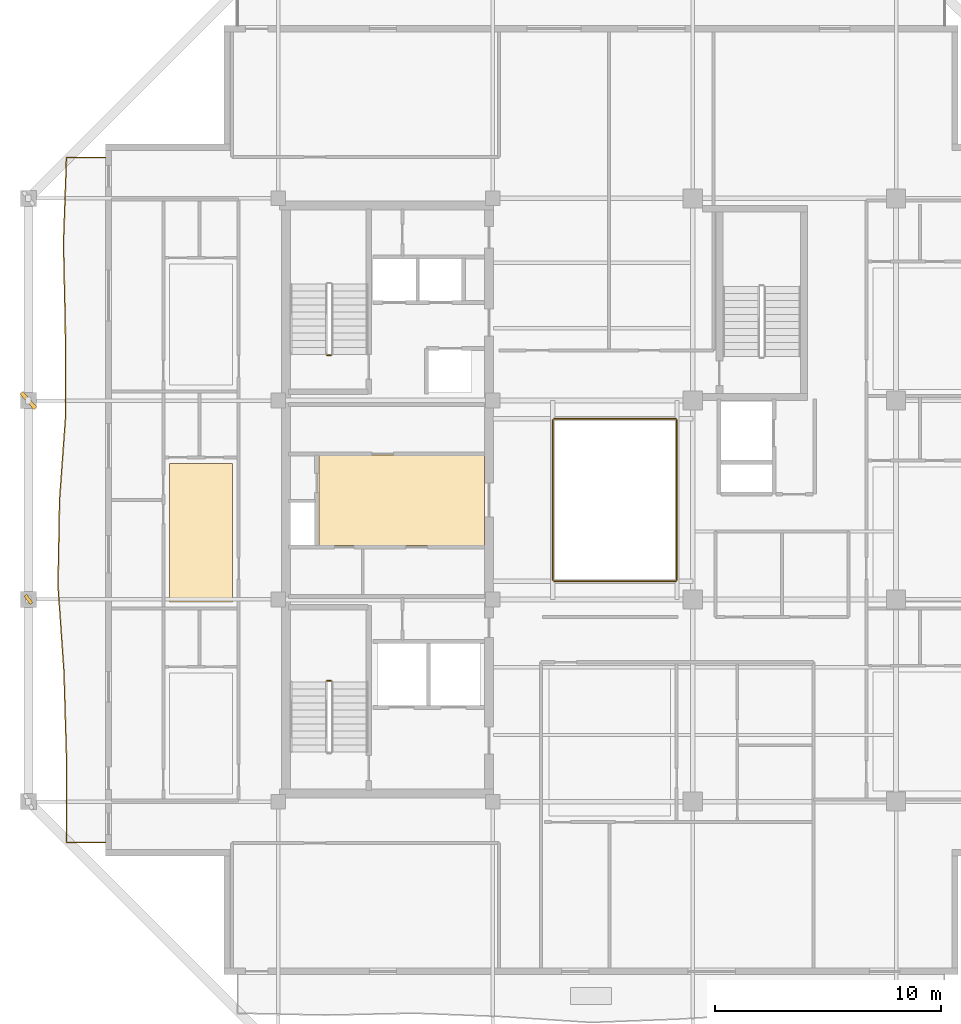
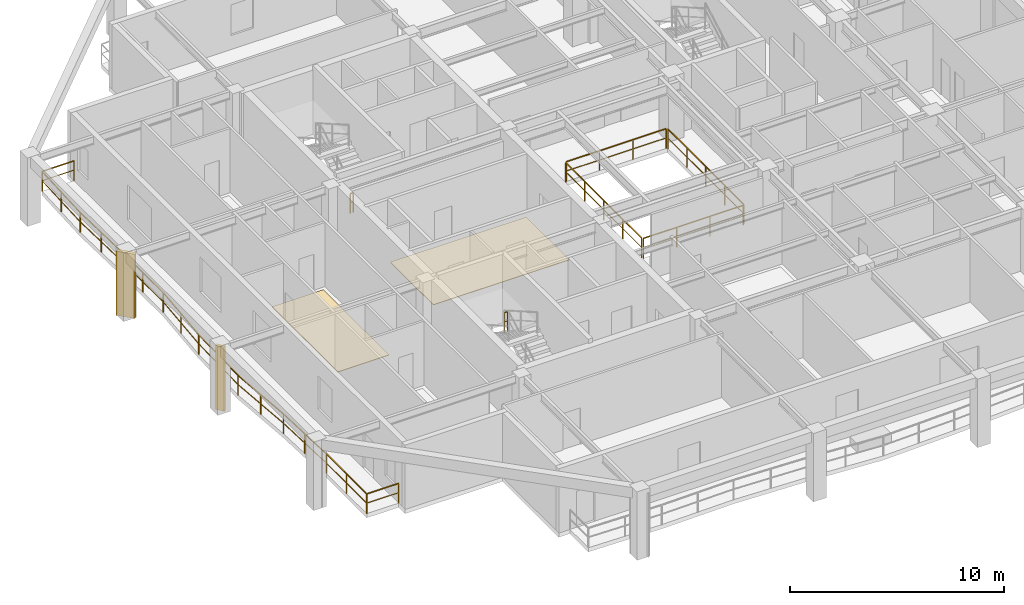
# One storey, part 9 of 13: 7 railings, 2 coverings, 2 shading devices.
"""IFC4 building model written with IfcOpenShell, lengths in metres."""

import ifcopenshell
import ifcopenshell.guid

model = None  # the IFC model being written
_history = None  # IfcOwnerHistory: only IFC2X3 demands one
_inside = {}  # id of a spatial element -> (the spatial element, [elements in it])
_under = {}  # id of a project, library or spatial element -> (it, [spatial elements below it])
_declared = {}  # id of a project -> (the project, [libraries it declares])
_typed = {}  # id of a type object -> (the type object, [elements of that type])
_made_of = {}  # id of a material, layer set ... -> (it, [elements and type objects made of it])


def new_model(schema):
    """Start an empty IFC model of exactly this schema.

    Asked for "IFC4X3", IfcOpenShell would pick the latest addendum, in which some entities
    have other attributes; the version numbers below select the first issue.
    IFC2X3 requires an IfcOwnerHistory on every rooted entity: one is made here for all.
    """
    global model, _history
    if schema == "IFC4X3":
        model = ifcopenshell.file(schema_version=(4, 3, 0, 0))
    else:
        model = ifcopenshell.file(schema=schema)
    _inside.clear()
    _under.clear()
    _declared.clear()
    _typed.clear()
    _made_of.clear()
    _history = None
    if model.schema == "IFC2X3":
        org = make("IfcOrganization", Name="unknown")
        user = make(
            "IfcPersonAndOrganization",
            ThePerson=make("IfcPerson", FamilyName="unknown"),
            TheOrganization=org,
        )
        app = make(
            "IfcApplication",
            ApplicationDeveloper=org,
            Version="unknown",
            ApplicationFullName="unknown",
            ApplicationIdentifier="unknown",
        )
        _history = make(
            "IfcOwnerHistory",
            OwningUser=user,
            OwningApplication=app,
            ChangeAction="ADDED",
            CreationDate=0,
        )
    return model


def make(cls, **values):
    """One entity of the class cls with the attributes given. An attribute that is None is left unset."""
    return model.create_entity(
        cls, **{name: value for name, value in values.items() if value is not None}
    )


def rooted(cls, **values):
    """An entity with a GlobalId (a new one), such as an element, a storey or a relation."""
    return make(cls, GlobalId=ifcopenshell.guid.new(), OwnerHistory=_history, **values)


def si_unit(unit_type, name, prefix=None):
    """IfcSIUnit, for example si_unit("LENGTHUNIT", "METRE", prefix="MILLI")."""
    return make("IfcSIUnit", UnitType=unit_type, Prefix=prefix, Name=name)


def assignment(units):
    """IfcUnitAssignment: the units of a project."""
    return None if units is None else make("IfcUnitAssignment", Units=units)


def point(xyz):
    """IfcCartesianPoint."""
    return None if xyz is None else make("IfcCartesianPoint", Coordinates=xyz)


def direction(xyz):
    """IfcDirection."""
    return None if xyz is None else make("IfcDirection", DirectionRatios=xyz)


def frame(location, z_axis=None, x_axis=None):
    """IfcAxis2Placement3D, a coordinate frame: its origin and axes. An axis left out is left unset."""
    return make(
        "IfcAxis2Placement3D",
        Location=point(location),
        Axis=direction(z_axis),
        RefDirection=direction(x_axis),
    )


def frame_2d(location, x_axis=None):
    """IfcAxis2Placement2D, a coordinate frame in the plane: its origin and x axis."""
    return make(
        "IfcAxis2Placement2D", Location=point(location), RefDirection=direction(x_axis)
    )


def origin():
    """The frame at (0, 0, 0) with its axes left unset."""
    return frame((0.0, 0.0, 0.0))


def origin_2d():
    """The frame at (0, 0) in the plane with its x axis left unset."""
    return frame_2d((0.0, 0.0))


def place(relative_to, where):
    """IfcLocalPlacement: puts the frame where relative to a parent placement (None: the world)."""
    return make(
        "IfcLocalPlacement", PlacementRelTo=relative_to, RelativePlacement=where
    )


def context(
    kind, dimensions, precision=None, world=None, true_north=None, identifier=None
):
    """IfcGeometricRepresentationContext, for example the 3D "Model" context."""
    return make(
        "IfcGeometricRepresentationContext",
        ContextIdentifier=identifier,
        ContextType=kind,
        CoordinateSpaceDimension=dimensions,
        Precision=precision,
        WorldCoordinateSystem=world,
        TrueNorth=true_north,
    )


def subcontext(parent, identifier, kind, view, scale=None):
    """IfcGeometricRepresentationSubContext, for example "Body" below "Model"."""
    return make(
        "IfcGeometricRepresentationSubContext",
        ContextIdentifier=identifier,
        ContextType=kind,
        ParentContext=parent,
        TargetScale=scale,
        TargetView=view,
    )


def project(units=None, contexts=None):
    """IfcProject with its units and contexts."""
    return rooted(
        "IfcProject",
        Name="project",
        RepresentationContexts=contexts,
        UnitsInContext=assignment(units),
    )


def spatial(cls, under=None, at=None, **own):
    """A site, building, storey or space (cls), placed at a placement, below another one or the project."""
    s = rooted(cls, ObjectPlacement=at, **own)
    if under is not None:
        _under.setdefault(under.id(), (under, []))[1].append(s)
    return s


def polyline(points):
    """IfcPolyline through the points."""
    return make("IfcPolyline", Points=[point(p) for p in points])


def profile(cls, at=None, kind="AREA", **sizes):
    """A parametric profile (cls). Its sizes go by their IFC names, for example OverallWidth=200.0."""
    return make(cls, ProfileType=kind, Position=at, **sizes)


def rectangle(**sizes):
    """IfcRectangleProfileDef."""
    return profile("IfcRectangleProfileDef", **sizes)


def outline(outer, holes=None, kind="AREA"):
    """IfcArbitraryClosedProfileDef: a profile drawn as a closed curve; with holes, ...WithVoids."""
    if holes is None:
        return make("IfcArbitraryClosedProfileDef", ProfileType=kind, OuterCurve=outer)
    return make(
        "IfcArbitraryProfileDefWithVoids",
        ProfileType=kind,
        OuterCurve=outer,
        InnerCurves=holes,
    )


def extrude(swept, where, along, depth):
    """IfcExtrudedAreaSolid: the profile swept, set in the frame where, extruded along a direction by depth."""
    return make(
        "IfcExtrudedAreaSolid",
        SweptArea=swept,
        Position=where,
        ExtrudedDirection=direction(along),
        Depth=depth,
    )


def shape(context_of_items, identifier, shape_type, items):
    """IfcShapeRepresentation: the items that make up one representation, for example the "Body"."""
    return make(
        "IfcShapeRepresentation",
        ContextOfItems=context_of_items,
        RepresentationIdentifier=identifier,
        RepresentationType=shape_type,
        Items=items,
    )


def material(Name=None, Category=None):
    """IfcMaterial."""
    return make("IfcMaterial", Name=Name, Category=Category)


def layer(
    of_material, thickness, ventilated=None, Name=None, Category=None, Priority=None
):
    """IfcMaterialLayer: one layer of a wall or slab, of a material (None: an air gap)."""
    return make(
        "IfcMaterialLayer",
        Material=of_material,
        LayerThickness=thickness,
        IsVentilated=ventilated,
        Name=Name,
        Category=Category,
        Priority=Priority,
    )


def layer_set(layers, Name=None):
    """IfcMaterialLayerSet."""
    return make("IfcMaterialLayerSet", MaterialLayers=layers, LayerSetName=Name)


def made_of(thing, what):
    """Note that an element or type object is made of a material, layer set ...; save() writes the relation."""
    if what is not None:
        _made_of.setdefault(what.id(), (what, []))[1].append(thing)
    return thing


def type_object(cls, material=None, **own):
    """A type object (cls), such as IfcWallType, which elements share."""
    return made_of(rooted(cls, **own), material)


def element(
    cls,
    number,
    at=None,
    inside=None,
    cuts=None,
    type_object=None,
    material=None,
    context=None,
    identifier="Body",
    shape_type=None,
    held_by="IfcProductDefinitionShape",
    body=None,
    shapes=None,
    **own,
):
    """One element of the class cls, such as IfcWall. Its Tag is "e" and its number.

    at: its placement. inside: the storey or other place that contains it. cuts: it is an
    opening in that element (IfcRelVoidsElement). A single representation is given by context,
    identifier, shape_type and body (its items); several are given by shapes. held_by: the class
    of the entity that holds the representations. save() writes the other relations.
    """
    e = rooted(cls, Tag="e%d" % number, ObjectPlacement=at, **own)
    if body is not None:
        shapes = [shape(context, identifier, shape_type, body)]
    if shapes is not None:
        e.Representation = make(held_by, Representations=shapes)
    if inside is not None:
        _inside.setdefault(inside.id(), (inside, []))[1].append(e)
    if cuts is not None:
        rooted(
            "IfcRelVoidsElement", RelatingBuildingElement=cuts, RelatedOpeningElement=e
        )
    if type_object is not None:
        _typed.setdefault(type_object.id(), (type_object, []))[1].append(e)
    return made_of(e, material)


def aggregate(whole, parts):
    """IfcRelAggregates: a whole, such as a stair, and the parts it consists of."""
    return rooted("IfcRelAggregates", RelatingObject=whole, RelatedObjects=parts)


def save(model, path):
    """Write the relations noted so far, then the file.

    IfcRelAggregates (storeys below a building ...), IfcRelContainedInSpatialStructure (elements
    in a storey), IfcRelDefinesByType, IfcRelAssociatesMaterial and IfcRelDeclares: one each for
    every whole, place, type object, material and project.
    """
    for whole, parts in _under.values():
        aggregate(whole, parts)
    for where, things in _inside.values():
        rooted(
            "IfcRelContainedInSpatialStructure",
            RelatedElements=things,
            RelatingStructure=where,
        )
    for kind, things in _typed.values():
        rooted("IfcRelDefinesByType", RelatedObjects=things, RelatingType=kind)
    for what, things in _made_of.values():
        rooted("IfcRelAssociatesMaterial", RelatedObjects=things, RelatingMaterial=what)
    for by, libraries in _declared.values():
        rooted("IfcRelDeclares", RelatingContext=by, RelatedDefinitions=libraries)
    model.write(path)


model = new_model("IFC4")

# Units and contexts
model_context = context("Model", 3, precision=1e-05, world=origin(), true_north=direction((0.0, 1.0)))
body_context = subcontext(model_context, "Body", "Model", "MODEL_VIEW")
ifc_project = project(units=[si_unit("LENGTHUNIT", "METRE"), si_unit("AREAUNIT", "SQUARE_METRE"), si_unit("VOLUMEUNIT", "CUBIC_METRE"), si_unit("PLANEANGLEUNIT", "RADIAN"), si_unit("MASSUNIT", "GRAM", prefix="KILO")], contexts=[model_context])

# Site, building, storey
site_placement = place(None, origin())
site = spatial("IfcSite", under=ifc_project, at=site_placement, CompositionType="ELEMENT")
building_placement = place(site_placement, origin())
building = spatial("IfcBuilding", under=site, at=building_placement, Name="Kundavana Baori Tower", CompositionType="ELEMENT")
storey_placement = place(building_placement, frame((0.0, 0.0, 229.699951171875)))
storey = spatial("IfcBuildingStorey", under=building, at=storey_placement, Name="L56", CompositionType="ELEMENT", Elevation=229.699951171875)

# Coverings
ifc_material_1 = material(Name="Honed Kota Stone and Terrazzo Flooring", Category="masonry")
ifc_layer = layer(ifc_material_1, 0.030029296875, Name="COV-INT-FLR")
ifc_layer_set = layer_set([ifc_layer], Name="Honed Kota Stone and Terrazzo Flooring")
covering_type = type_object("IfcCoveringType", Name="COV-INT-FLR", PredefinedType="FLOORING", material=ifc_layer_set)
covering_1_placement = place(storey_placement, origin())
element("IfcCovering", 1, at=covering_1_placement, inside=storey, type_object=covering_type, Name="L56 Room Finished Stone Flooring 2", PredefinedType="FLOORING", context=body_context, shape_type="SweptSolid", body=[
    extrude(outline(polyline([(10.64990234375, 24.080078125), (13.419921875, 24.080078125), (13.419921875, 30.2099609375), (10.64990234375, 30.2099609375), (10.64990234375, 24.080078125)])), origin(), (0.0, 0.0, 1.0), 0.030029296875),
])
covering_2_placement = place(storey_placement, origin())
element("IfcCovering", 2, at=covering_2_placement, inside=storey, type_object=covering_type, Name="L56 Core Lift Lobby Kota Stone Flooring", PredefinedType="FLOORING", context=body_context, shape_type="SweptSolid", body=[
    extrude(outline(polyline([(17.25, 26.580078125), (24.580078125, 26.580078125), (24.580078125, 30.60009765625), (17.25, 30.60009765625), (17.25, 26.580078125)])), origin(), (0.0, 0.0, 1.0), 0.030029296875),
])

# Railings
ifc_material_2 = material(Name="Architectural Patinated Bronze Metalwork")
railing_type_1 = type_object("IfcRailingType", Name="RL-BAL-1150", PredefinedType="BALUSTRADE", material=ifc_material_2)
railing_1_placement = place(storey_placement, frame((7.800048828125, 13.449951171875, 0.0)))
element("IfcRailing", 3, at=railing_1_placement, inside=storey, type_object=railing_type_1, Name="L56 Loggia Balcony Balustrade W", PredefinedType="BALUSTRADE", context=body_context, shape_type="SweptSolid", body=[
    extrude(rectangle(XDim=0.048095703125, YDim=0.048095703125, at=origin_2d()), frame((0.0, 0.0, 1.1259765625), z_axis=(-1.0, 0.0, 0.0), x_axis=(0.0, -1.0, 0.0)), (0.0, 0.0, 1.0), 1.719970703125),
    extrude(rectangle(XDim=0.03125, YDim=0.03125, at=origin_2d()), frame((0.0, 0.0, 0.597900390625), z_axis=(-1.0, 0.0, 0.0), x_axis=(0.0, -1.0, 0.0)), (0.0, 0.0, 1.0), 1.719970703125),
    extrude(rectangle(XDim=0.048095703125, YDim=0.048095703125, at=origin_2d()), frame((-1.719970703125, 0.0, 1.1259765625), z_axis=(-0.000257798393, 0.99999996677, 0.0), x_axis=(-0.99999996677, -0.000257798393, 0.0)), (0.0, 0.0, 1.0), 3.7880859375),
    extrude(rectangle(XDim=0.03125, YDim=0.03125, at=origin_2d()), frame((-1.719970703125, 0.0, 0.597900390625), z_axis=(-0.000257798393, 0.99999996677, 0.0), x_axis=(-0.99999996677, -0.000257798393, 0.0)), (0.0, 0.0, 1.0), 3.7880859375),
    extrude(rectangle(XDim=0.048095703125, YDim=0.048095703125, at=origin_2d()), frame((-1.720947265625, 3.7880859375, 1.1259765625), z_axis=(-0.029578954495, 0.999562446999, 0.0), x_axis=(-0.999562446999, -0.029578954495, 0.0)), (0.0, 0.0, 1.0), 3.78857421875),
    extrude(rectangle(XDim=0.03125, YDim=0.03125, at=origin_2d()), frame((-1.720947265625, 3.7880859375, 0.597900390625), z_axis=(-0.029578954495, 0.999562446999, 0.0), x_axis=(-0.999562446999, -0.029578954495, 0.0)), (0.0, 0.0, 1.0), 3.78857421875),
    extrude(rectangle(XDim=0.048095703125, YDim=0.048095703125, at=origin_2d()), frame((-1.8330078125, 7.574951171875, 1.1259765625), z_axis=(-0.069263375839, 0.997598408563, 0.0), x_axis=(-0.997598408563, -0.069263375839, 0.0)), (0.0, 0.0, 1.0), 3.796142578125),
    extrude(rectangle(XDim=0.03125, YDim=0.03125, at=origin_2d()), frame((-1.8330078125, 7.574951171875, 0.597900390625), z_axis=(-0.069263375839, 0.997598408563, 0.0), x_axis=(-0.997598408563, -0.069263375839, 0.0)), (0.0, 0.0, 1.0), 3.796142578125),
    extrude(rectangle(XDim=0.048095703125, YDim=0.048095703125, at=origin_2d()), frame((-2.095947265625, 11.362060546875, 1.1259765625), z_axis=(0.018171786286, 0.999834879459, 0.0), x_axis=(-0.999834879459, 0.018171786286, 0.0)), (0.0, 0.0, 1.0), 3.788818359375),
    extrude(rectangle(XDim=0.03125, YDim=0.03125, at=origin_2d()), frame((-2.095947265625, 11.362060546875, 0.597900390625), z_axis=(0.018171786286, 0.999834879459, 0.0), x_axis=(-0.999834879459, 0.018171786286, 0.0)), (0.0, 0.0, 1.0), 3.788818359375),
    extrude(rectangle(XDim=0.048095703125, YDim=0.048095703125, at=origin_2d()), frame((-2.027099609375, 15.150146484375, 1.1259765625), z_axis=(0.071872937426, 0.997413796208, 0.0), x_axis=(-0.997413796208, 0.071872937426, 0.0)), (0.0, 0.0, 1.0), 3.797607421875),
    extrude(rectangle(XDim=0.03125, YDim=0.03125, at=origin_2d()), frame((-2.027099609375, 15.150146484375, 0.597900390625), z_axis=(0.071872937426, 0.997413796208, 0.0), x_axis=(-0.997413796208, 0.071872937426, 0.0)), (0.0, 0.0, 1.0), 3.797607421875),
    extrude(rectangle(XDim=0.048095703125, YDim=0.048095703125, at=origin_2d()), frame((-1.754150390625, 18.93798828125, 1.1259765625), z_axis=(-0.004448125154, 0.999990107042, 0.0), x_axis=(-0.999990107042, -0.004448125154, 0.0)), (0.0, 0.0, 1.0), 3.787109375),
    extrude(rectangle(XDim=0.03125, YDim=0.03125, at=origin_2d()), frame((-1.754150390625, 18.93798828125, 0.597900390625), z_axis=(-0.004448125154, 0.999990107042, 0.0), x_axis=(-0.999990107042, -0.004448125154, 0.0)), (0.0, 0.0, 1.0), 3.787109375),
    extrude(rectangle(XDim=0.048095703125, YDim=0.048095703125, at=origin_2d()), frame((-1.77099609375, 22.72509765625, 1.1259765625), z_axis=(-0.021914663611, 0.999759844922, 0.0), x_axis=(-0.999759844922, -0.021914663611, 0.0)), (0.0, 0.0, 1.0), 3.787841796875),
    extrude(rectangle(XDim=0.03125, YDim=0.03125, at=origin_2d()), frame((-1.77099609375, 22.72509765625, 0.597900390625), z_axis=(-0.021914663611, 0.999759844922, 0.0), x_axis=(-0.999759844922, -0.021914663611, 0.0)), (0.0, 0.0, 1.0), 3.787841796875),
    extrude(rectangle(XDim=0.048095703125, YDim=0.048095703125, at=origin_2d()), frame((-1.85400390625, 26.511962890625, 1.1259765625), z_axis=(0.035360702728, 0.999374614798, 0.0), x_axis=(-0.999374614798, 0.035360702728, 0.0)), (0.0, 0.0, 1.0), 3.79052734375),
    extrude(rectangle(XDim=0.03125, YDim=0.03125, at=origin_2d()), frame((-1.85400390625, 26.511962890625, 0.597900390625), z_axis=(0.035360702728, 0.999374614798, 0.0), x_axis=(-0.999374614798, 0.035360702728, 0.0)), (0.0, 0.0, 1.0), 3.79052734375),
    extrude(rectangle(XDim=0.048095703125, YDim=0.048095703125, at=origin_2d()), frame((-1.719970703125, 30.300048828125, 1.1259765625), z_axis=(1.0, 0.0, 0.0), x_axis=(0.0, 1.0, 0.0)), (0.0, 0.0, 1.0), 1.719970703125),
    extrude(rectangle(XDim=0.03125, YDim=0.03125, at=origin_2d()), frame((-1.719970703125, 30.300048828125, 0.597900390625), z_axis=(1.0, 0.0, 0.0), x_axis=(0.0, 1.0, 0.0)), (0.0, 0.0, 1.0), 1.719970703125),
    extrude(rectangle(XDim=0.0419921875, YDim=0.0419921875, at=origin_2d()), origin(), (0.0, 0.0, 1.0), 1.101806640625),
    extrude(rectangle(XDim=0.0419921875, YDim=0.0419921875, at=origin_2d()), frame((-1.719970703125, 0.0, 0.0)), (0.0, 0.0, 1.0), 1.101806640625),
    extrude(rectangle(XDim=0.0419921875, YDim=0.0419921875, at=origin_2d()), frame((-1.720458984375, 1.89404296875, 0.0)), (0.0, 0.0, 1.0), 1.101806640625),
    extrude(rectangle(XDim=0.0419921875, YDim=0.0419921875, at=origin_2d()), frame((-1.720947265625, 3.7880859375, 0.0)), (0.0, 0.0, 1.0), 1.101806640625),
    extrude(rectangle(XDim=0.0419921875, YDim=0.0419921875, at=origin_2d()), frame((-1.77685546875, 5.681640625, 0.0)), (0.0, 0.0, 1.0), 1.101806640625),
    extrude(rectangle(XDim=0.0419921875, YDim=0.0419921875, at=origin_2d()), frame((-1.8330078125, 7.574951171875, 0.0)), (0.0, 0.0, 1.0), 1.101806640625),
    extrude(rectangle(XDim=0.0419921875, YDim=0.0419921875, at=origin_2d()), frame((-1.96435546875, 9.468505859375, 0.0)), (0.0, 0.0, 1.0), 1.101806640625),
    extrude(rectangle(XDim=0.0419921875, YDim=0.0419921875, at=origin_2d()), frame((-2.095947265625, 11.362060546875, 0.0)), (0.0, 0.0, 1.0), 1.101806640625),
    extrude(rectangle(XDim=0.0419921875, YDim=0.0419921875, at=origin_2d()), frame((-2.0615234375, 13.256103515625, 0.0)), (0.0, 0.0, 1.0), 1.101806640625),
    extrude(rectangle(XDim=0.0419921875, YDim=0.0419921875, at=origin_2d()), frame((-2.027099609375, 15.150146484375, 0.0)), (0.0, 0.0, 1.0), 1.101806640625),
    extrude(rectangle(XDim=0.0419921875, YDim=0.0419921875, at=origin_2d()), frame((-1.890625, 17.0439453125, 0.0)), (0.0, 0.0, 1.0), 1.101806640625),
    extrude(rectangle(XDim=0.0419921875, YDim=0.0419921875, at=origin_2d()), frame((-1.754150390625, 18.93798828125, 0.0)), (0.0, 0.0, 1.0), 1.101806640625),
    extrude(rectangle(XDim=0.0419921875, YDim=0.0419921875, at=origin_2d()), frame((-1.7626953125, 20.83154296875, 0.0)), (0.0, 0.0, 1.0), 1.101806640625),
    extrude(rectangle(XDim=0.0419921875, YDim=0.0419921875, at=origin_2d()), frame((-1.77099609375, 22.72509765625, 0.0)), (0.0, 0.0, 1.0), 1.101806640625),
    extrude(rectangle(XDim=0.0419921875, YDim=0.0419921875, at=origin_2d()), frame((-1.8125, 24.61865234375, 0.0)), (0.0, 0.0, 1.0), 1.101806640625),
    extrude(rectangle(XDim=0.0419921875, YDim=0.0419921875, at=origin_2d()), frame((-1.85400390625, 26.511962890625, 0.0)), (0.0, 0.0, 1.0), 1.101806640625),
    extrude(rectangle(XDim=0.0419921875, YDim=0.0419921875, at=origin_2d()), frame((-1.787109375, 28.406005859375, 0.0)), (0.0, 0.0, 1.0), 1.101806640625),
    extrude(rectangle(XDim=0.0419921875, YDim=0.0419921875, at=origin_2d()), frame((-1.719970703125, 30.300048828125, 0.0)), (0.0, 0.0, 1.0), 1.101806640625),
    extrude(rectangle(XDim=0.0419921875, YDim=0.0419921875, at=origin_2d()), frame((0.0, 30.300048828125, 0.0)), (0.0, 0.0, 1.0), 1.101806640625),
])
ifc_material_3 = material(Name="Architectural Patinated Bronze Metalwork")
railing_type_2 = type_object("IfcRailingType", Name="RL-GRD-1150", PredefinedType="GUARDRAIL", material=ifc_material_3)
for number, where, name in (
    (4, (17.7900390625, 20.60009765625, 1.949951171875), "L56 ST1 stair guard 2"),
    (5, (17.7900390625, 35.0, 0.0), "L56 ST2 stair guard 4"),
):
    element("IfcRailing", number, at=place(storey_placement, frame(where)), inside=storey, type_object=railing_type_2, Name=name, PredefinedType="GUARDRAIL", context=body_context, shape_type="SweptSolid", body=[
        extrude(rectangle(XDim=0.048095703125, YDim=0.048095703125, at=origin_2d()), frame((0.0, 0.0, 1.1259765625), z_axis=(-1.0, 0.0, 0.0), x_axis=(0.0, -1.0, 0.0)), (0.0, 0.0, 1.0), 0.16015625),
        extrude(rectangle(XDim=0.03125, YDim=0.03125, at=origin_2d()), frame((0.0, 0.0, 0.597900390625), z_axis=(-1.0, 0.0, 0.0), x_axis=(0.0, -1.0, 0.0)), (0.0, 0.0, 1.0), 0.16015625),
        extrude(rectangle(XDim=0.0419921875, YDim=0.0419921875, at=origin_2d()), origin(), (0.0, 0.0, 1.0), 1.101806640625),
        extrude(rectangle(XDim=0.0419921875, YDim=0.0419921875, at=origin_2d()), frame((-0.16015625, 0.0, 0.0)), (0.0, 0.0, 1.0), 1.101806640625),
    ])
railing_2_placement = place(storey_placement, frame((27.659912109375, 25.0, 0.0)))
element("IfcRailing", 6, at=railing_2_placement, inside=storey, type_object=railing_type_2, Name="L56 Atrium Void Perimeter Guardrail S", PredefinedType="GUARDRAIL", context=body_context, shape_type="SweptSolid", body=[
    extrude(rectangle(XDim=0.048095703125, YDim=0.048095703125, at=origin_2d()), frame((0.0, 0.0, 1.1259765625), z_axis=(1.0, 0.0, 0.0), x_axis=(0.0, 1.0, 0.0)), (0.0, 0.0, 1.0), 5.380126953125),
    extrude(rectangle(XDim=0.03125, YDim=0.03125, at=origin_2d()), frame((0.0, 0.0, 0.597900390625), z_axis=(1.0, 0.0, 0.0), x_axis=(0.0, 1.0, 0.0)), (0.0, 0.0, 1.0), 5.380126953125),
    extrude(rectangle(XDim=0.0419921875, YDim=0.0419921875, at=origin_2d()), origin(), (0.0, 0.0, 1.0), 1.101806640625),
    extrude(rectangle(XDim=0.0419921875, YDim=0.0419921875, at=origin_2d()), frame((1.79345703125, 0.0, 0.0)), (0.0, 0.0, 1.0), 1.101806640625),
    extrude(rectangle(XDim=0.0419921875, YDim=0.0419921875, at=origin_2d()), frame((3.586669921875, 0.0, 0.0)), (0.0, 0.0, 1.0), 1.101806640625),
    extrude(rectangle(XDim=0.0419921875, YDim=0.0419921875, at=origin_2d()), frame((5.380126953125, 0.0, 0.0)), (0.0, 0.0, 1.0), 1.101806640625),
])
railing_3_placement = place(storey_placement, frame((33.10009765625, 25.06005859375, 0.0)))
element("IfcRailing", 7, at=railing_3_placement, inside=storey, type_object=railing_type_2, Name="L56 Atrium Void Perimeter Guardrail E", PredefinedType="GUARDRAIL", context=body_context, shape_type="SweptSolid", body=[
    extrude(rectangle(XDim=0.048095703125, YDim=0.048095703125, at=origin_2d()), frame((0.0, 0.0, 1.1259765625), z_axis=(0.0, 1.0, 0.0), x_axis=(-1.0, 0.0, 0.0)), (0.0, 0.0, 1.0), 7.079833984375),
    extrude(rectangle(XDim=0.03125, YDim=0.03125, at=origin_2d()), frame((0.0, 0.0, 0.597900390625), z_axis=(0.0, 1.0, 0.0), x_axis=(-1.0, 0.0, 0.0)), (0.0, 0.0, 1.0), 7.079833984375),
    extrude(rectangle(XDim=0.0419921875, YDim=0.0419921875, at=origin_2d()), origin(), (0.0, 0.0, 1.0), 1.101806640625),
    extrude(rectangle(XDim=0.0419921875, YDim=0.0419921875, at=origin_2d()), frame((0.0, 1.77001953125, 0.0)), (0.0, 0.0, 1.0), 1.101806640625),
    extrude(rectangle(XDim=0.0419921875, YDim=0.0419921875, at=origin_2d()), frame((0.0, 3.5400390625, 0.0)), (0.0, 0.0, 1.0), 1.101806640625),
    extrude(rectangle(XDim=0.0419921875, YDim=0.0419921875, at=origin_2d()), frame((0.0, 5.309814453125, 0.0)), (0.0, 0.0, 1.0), 1.101806640625),
    extrude(rectangle(XDim=0.0419921875, YDim=0.0419921875, at=origin_2d()), frame((0.0, 7.079833984375, 0.0)), (0.0, 0.0, 1.0), 1.101806640625),
])
railing_4_placement = place(storey_placement, frame((33.0400390625, 32.199951171875, 0.0)))
element("IfcRailing", 8, at=railing_4_placement, inside=storey, type_object=railing_type_2, Name="L56 Atrium Void Perimeter Guardrail N", PredefinedType="GUARDRAIL", context=body_context, shape_type="SweptSolid", body=[
    extrude(rectangle(XDim=0.048095703125, YDim=0.048095703125, at=origin_2d()), frame((0.0, 0.0, 1.1259765625), z_axis=(-1.0, 0.0, 0.0), x_axis=(0.0, -1.0, 0.0)), (0.0, 0.0, 1.0), 5.380126953125),
    extrude(rectangle(XDim=0.03125, YDim=0.03125, at=origin_2d()), frame((0.0, 0.0, 0.597900390625), z_axis=(-1.0, 0.0, 0.0), x_axis=(0.0, -1.0, 0.0)), (0.0, 0.0, 1.0), 5.380126953125),
    extrude(rectangle(XDim=0.0419921875, YDim=0.0419921875, at=origin_2d()), origin(), (0.0, 0.0, 1.0), 1.101806640625),
    extrude(rectangle(XDim=0.0419921875, YDim=0.0419921875, at=origin_2d()), frame((-1.79345703125, 0.0, 0.0)), (0.0, 0.0, 1.0), 1.101806640625),
    extrude(rectangle(XDim=0.0419921875, YDim=0.0419921875, at=origin_2d()), frame((-3.586669921875, 0.0, 0.0)), (0.0, 0.0, 1.0), 1.101806640625),
    extrude(rectangle(XDim=0.0419921875, YDim=0.0419921875, at=origin_2d()), frame((-5.380126953125, 0.0, 0.0)), (0.0, 0.0, 1.0), 1.101806640625),
])
railing_5_placement = place(storey_placement, frame((27.60009765625, 32.139892578125, 0.0)))
element("IfcRailing", 9, at=railing_5_placement, inside=storey, type_object=railing_type_2, Name="L56 Atrium Void Perimeter Guardrail W", PredefinedType="GUARDRAIL", context=body_context, shape_type="SweptSolid", body=[
    extrude(rectangle(XDim=0.048095703125, YDim=0.048095703125, at=origin_2d()), frame((0.0, 0.0, 1.1259765625), z_axis=(0.0, -1.0, 0.0), x_axis=(1.0, 0.0, 0.0)), (0.0, 0.0, 1.0), 7.079833984375),
    extrude(rectangle(XDim=0.03125, YDim=0.03125, at=origin_2d()), frame((0.0, 0.0, 0.597900390625), z_axis=(0.0, -1.0, 0.0), x_axis=(1.0, 0.0, 0.0)), (0.0, 0.0, 1.0), 7.079833984375),
    extrude(rectangle(XDim=0.0419921875, YDim=0.0419921875, at=origin_2d()), origin(), (0.0, 0.0, 1.0), 1.101806640625),
    extrude(rectangle(XDim=0.0419921875, YDim=0.0419921875, at=origin_2d()), frame((0.0, -1.77001953125, 0.0)), (0.0, 0.0, 1.0), 1.101806640625),
    extrude(rectangle(XDim=0.0419921875, YDim=0.0419921875, at=origin_2d()), frame((0.0, -3.5400390625, 0.0)), (0.0, 0.0, 1.0), 1.101806640625),
    extrude(rectangle(XDim=0.0419921875, YDim=0.0419921875, at=origin_2d()), frame((0.0, -5.309814453125, 0.0)), (0.0, 0.0, 1.0), 1.101806640625),
    extrude(rectangle(XDim=0.0419921875, YDim=0.0419921875, at=origin_2d()), frame((0.0, -7.079833984375, 0.0)), (0.0, 0.0, 1.0), 1.101806640625),
])

# Shading devices
ifc_material_4 = material(Name="Red-Buff Dholpur Sandstone Cladding on Concrete C40/50", Category="masonry")
shading_device_type_1 = type_object("IfcShadingDeviceType", Name="SHD-FIN-920", PredefinedType="JALOUSIE", material=ifc_material_4)
shading_device_1_placement = place(storey_placement, frame((4.39990234375, 33.0, 0.0), z_axis=(0.0, 0.0, 1.0), x_axis=(0.743728469045, 0.668481835454, 0.0)))
element("IfcShadingDevice", 10, at=shading_device_1_placement, inside=storey, type_object=shading_device_type_1, Name="L56 Sweeping Dholpur Sandstone Facade Fin 7", PredefinedType="JALOUSIE", context=body_context, shape_type="SweptSolid", body=[
    extrude(rectangle(XDim=0.179931640625, YDim=0.919921875, at=origin_2d()), origin(), (0.0, 0.0, 1.0), 3.659912109375),
])
ifc_material_5 = material(Name="Architectural Patinated Bronze Metalwork")
shading_device_type_2 = type_object("IfcShadingDeviceType", Name="SHD-LOUV-450", PredefinedType="SHUTTER", material=ifc_material_5)
shading_device_2_placement = place(storey_placement, frame((4.39990234375, 24.199951171875, 0.0), z_axis=(0.0, 0.0, 1.0), x_axis=(0.803856860617, 0.594822786751, 0.0)))
element("IfcShadingDevice", 11, at=shading_device_2_placement, inside=storey, type_object=shading_device_type_2, Name="L56 Sweeping Dholpur Sandstone Facade Fin 6", PredefinedType="SHUTTER", context=body_context, shape_type="SweptSolid", body=[
    extrude(rectangle(XDim=0.139892578125, YDim=0.449951171875, at=origin_2d()), origin(), (0.0, 0.0, 1.0), 3.659912109375),
])

save(model, "model.ifc")
